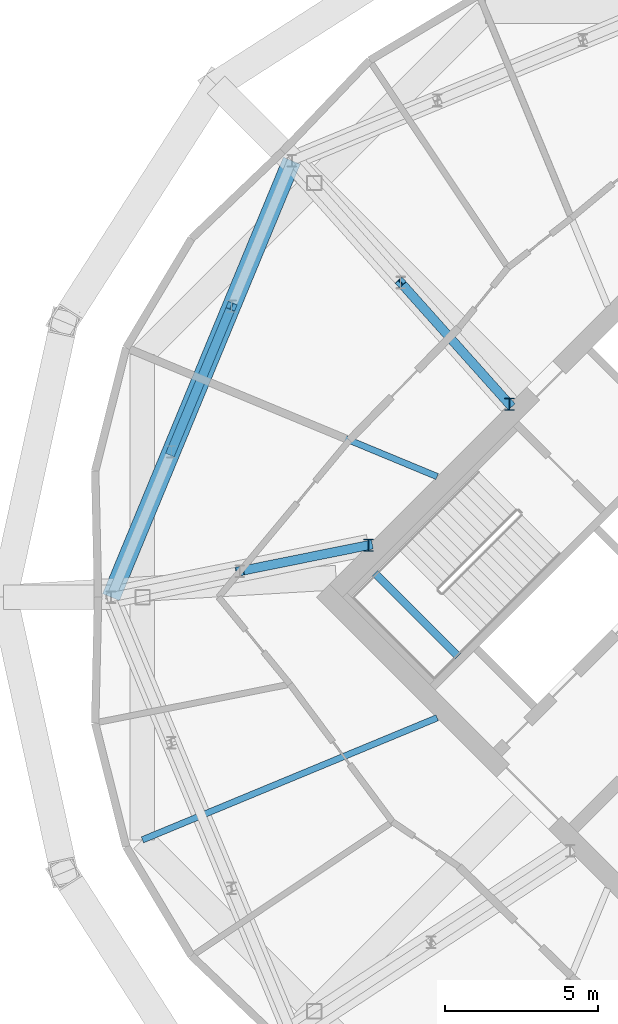
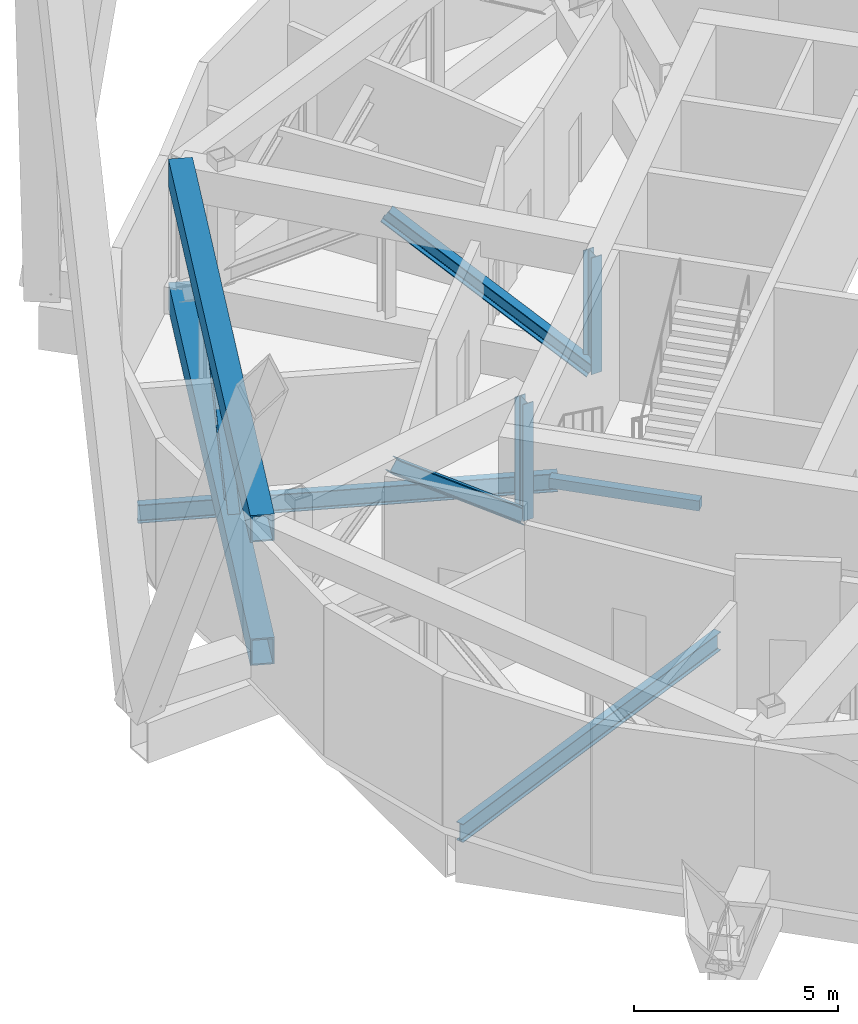
# One storey, part 8 of 19: 7 members, 3 beams.
"""IFC4 building model written with IfcOpenShell, lengths in metres."""

from ifc_helpers import new_model, si_unit, direction, frame, origin, origin_2d, place, context, subcontext, project, spatial, rectangle, hollow_rectangle, i_section, extrude, material, material_profile, profile_set, type_object, element, save


model = new_model("IFC4")

# Units and contexts
model_context = context("Model", 3, precision=1e-05, world=origin(), true_north=direction((0.0, 1.0)))
body_context = subcontext(model_context, "Body", "Model", "MODEL_VIEW")
ifc_project = project(units=[si_unit("LENGTHUNIT", "METRE"), si_unit("AREAUNIT", "SQUARE_METRE"), si_unit("VOLUMEUNIT", "CUBIC_METRE"), si_unit("PLANEANGLEUNIT", "RADIAN"), si_unit("MASSUNIT", "GRAM", prefix="KILO")], contexts=[model_context])

# Site, building, storey
site_placement = place(None, origin())
site = spatial("IfcSite", under=ifc_project, at=site_placement, CompositionType="ELEMENT")
building_placement = place(site_placement, origin())
building = spatial("IfcBuilding", under=site, at=building_placement, Name="Ogive Gate Towers", CompositionType="ELEMENT")
storey_placement = place(building_placement, frame((0.0, 0.0, 216.300048828125)))
storey = spatial("IfcBuildingStorey", under=building, at=storey_placement, Name="L52", CompositionType="ELEMENT", Elevation=216.300048828125)

# Beams
ifc_material_1 = material(Name="Concrete C40/50", Category="concrete")
ifc_material_profile_1 = material_profile(ifc_material_1, rectangle(XDim=0.25, YDim=0.300048828125, at=origin_2d()), Name="RC 250x300")
ifc_profile_set_1 = profile_set([ifc_material_profile_1], Name="Concrete C40/50")
beam_type_1 = type_object("IfcBeamType", Name="Landing bearer RC 250x300", PredefinedType="BEAM", material=ifc_profile_set_1)
beam_placement = place(storey_placement, frame((24.472412109375, 0.77587890625, 2.050048828125), z_axis=(0.707106781187, -0.707106781187, 0.0), x_axis=(0.707106781187, 0.707106781187, 0.0)))
element("IfcBeam", 1, at=beam_placement, inside=storey, type_object=beam_type_1, Name="T2 L52 stair 1 landing bearer 1", PredefinedType="BEAM", context=body_context, shape_type="SweptSolid", body=[
    extrude(rectangle(XDim=0.25, YDim=0.300048828125, at=origin_2d()), origin(), (0.0, 0.0, 1.0), 3.824951171875),
])
ifc_material_2 = material(Name="Steel SM355", Category="steel")
ifc_material_profile_2 = material_profile(ifc_material_2, i_section(OverallWidth=0.2099609375, OverallDepth=0.550048828125, WebThickness=0.010986328125, FlangeThickness=0.01708984375, FilletRadius=0.02392578125, at=origin_2d()), Name="IPE 550")
ifc_profile_set_2 = profile_set([ifc_material_profile_2], Name="Steel SM355")
beam_type_2 = type_object("IfcBeamType", Name="Radial floor beam IPE 550", PredefinedType="BEAM", material=ifc_profile_set_2)
for number, where, z_axis, x_axis, name in (
    (2, (26.5, -3.93505859375, -0.574951171875), (-0.92387930631, -0.382683978464, 0.0), (0.382683978464, -0.92387930631, 0.0), "T2/L52/SBM001"),
    (3, (26.5, 3.93505859375, -0.574951171875), (-0.92387930631, 0.382683978464, 0.0), (-0.382683978464, -0.92387930631, 0.0), "T2/L52/SBM015"),
):
    element("IfcBeam", number, at=place(storey_placement, frame(where, z_axis=z_axis, x_axis=x_axis)), inside=storey, type_object=beam_type_2, Name=name, PredefinedType="BEAM", context=body_context, shape_type="SweptSolid", body=[
        extrude(i_section(OverallWidth=0.2099609375, OverallDepth=0.550048828125, WebThickness=0.010986328125, FlangeThickness=0.01708984375, FilletRadius=0.02392578125, at=origin_2d()), origin(), (0.0, 0.0, 1.0), 10.4072265625),
    ])

# Members
ifc_material_3 = material(Name="Steel SM460", Category="steel")
ifc_material_profile_3 = material_profile(ifc_material_3, hollow_rectangle(XDim=0.60009765625, YDim=0.800048828125, WallThickness=0.0400390625, at=origin_2d()), Name="BX 800x600x40")
ifc_profile_set_3 = profile_set([ifc_material_profile_3], Name="Steel SM460")
member_type_1 = type_object("IfcMemberType", Name="Truss chord BX 800x600x40", PredefinedType="CHORD", material=ifc_profile_set_3)
for number, where, z_axis, x_axis, name in (
    (4, (21.7587890625, 14.2412109375, 0.39990234375), (-0.382671190687, -0.923884603085, 0.0), (0.923884603085, -0.382671190687, 0.0), "T2/L52/STR044"),
    (5, (21.7587890625, 14.2412109375, 4.099853515625), (-0.382671190687, -0.923884603085, 0.0), (0.923884603085, -0.382671190687, 0.0), "T2/L52/STR045"),
):
    element("IfcMember", number, at=place(storey_placement, frame(where, z_axis=z_axis, x_axis=x_axis)), inside=storey, type_object=member_type_1, Name=name, PredefinedType="CHORD", context=body_context, shape_type="SweptSolid", body=[
        extrude(hollow_rectangle(XDim=0.60009765625, YDim=0.800048828125, WallThickness=0.0400390625, at=origin_2d()), origin(), (0.0, 0.0, 1.0), 15.41455078125),
    ])
ifc_material_profile_4 = material_profile(ifc_material_3, i_section(OverallWidth=0.300048828125, OverallDepth=0.39990234375, WebThickness=0.013427734375, FlangeThickness=0.02392578125, FilletRadius=0.027099609375, at=origin_2d()), Name="HE 400 B")
ifc_profile_set_4 = profile_set([ifc_material_profile_4], Name="Steel SM460")
member_type_2 = type_object("IfcMemberType", Name="Truss diagonal HE 400 B", PredefinedType="BRACE", material=ifc_profile_set_4)
member_1_placement = place(storey_placement, frame((19.79248046875, 9.494140625, 4.099853515625), z_axis=(-0.310548860821, -0.74972833993, -0.58435162475), x_axis=(0.923879003455, -0.382684709619, 0.0)))
element("IfcMember", 6, at=member_1_placement, inside=storey, type_object=member_type_2, Name="T2/L52/STR047", PredefinedType="BRACE", context=body_context, shape_type="SweptSolid", body=[
    extrude(i_section(OverallWidth=0.300048828125, OverallDepth=0.39990234375, WebThickness=0.013427734375, FlangeThickness=0.02392578125, FilletRadius=0.027099609375, at=origin_2d()), origin(), (0.0, 0.0, 1.0), 6.331787109375),
])
member_2_placement = place(storey_placement, frame((28.858154296875, 6.293212890625, 0.5), z_axis=(-0.556777415716, 0.623373187498, 0.549003441207), x_axis=(-0.745822211667, -0.666145050709, 0.0)))
element("IfcMember", 7, at=member_2_placement, inside=storey, type_object=member_type_2, Name="T2/L52/STR054", PredefinedType="BRACE", context=body_context, shape_type="SweptSolid", body=[
    extrude(i_section(OverallWidth=0.300048828125, OverallDepth=0.39990234375, WebThickness=0.013427734375, FlangeThickness=0.02392578125, FilletRadius=0.027099609375, at=origin_2d()), origin(), (0.0, 0.0, 1.0), 6.375244140625),
])
member_3_placement = place(storey_placement, frame((24.261962890625, 1.697021484375, 0.5), z_axis=(-0.759206542571, -0.153323806325, 0.632532399274), x_axis=(0.197956223889, -0.980210861715, 0.0)))
element("IfcMember", 8, at=member_3_placement, inside=storey, type_object=member_type_2, Name="T2/L52/STR068", PredefinedType="BRACE", context=body_context, shape_type="SweptSolid", body=[
    extrude(i_section(OverallWidth=0.300048828125, OverallDepth=0.39990234375, WebThickness=0.013427734375, FlangeThickness=0.02392578125, FilletRadius=0.027099609375, at=origin_2d()), origin(), (0.0, 0.0, 1.0), 5.533203125),
])
ifc_material_profile_5 = material_profile(ifc_material_3, i_section(OverallWidth=0.300048828125, OverallDepth=0.39990234375, WebThickness=0.013427734375, FlangeThickness=0.02392578125, FilletRadius=0.027099609375, at=origin_2d()), Name="HE 400 B")
ifc_profile_set_5 = profile_set([ifc_material_profile_5], Name="Steel SM460")
member_type_3 = type_object("IfcMemberType", Name="Truss post HE 400 B", PredefinedType="POST", material=ifc_profile_set_5)
for number, where, z_axis, x_axis, name in (
    (9, (28.858154296875, 6.293212890625, 0.5), (0.0, 0.0, 1.0), (1.0, 0.0, 0.0), "T2/L52/STR056"),
    (10, (24.261962890625, 1.697021484375, 0.5), (0.0, 0.0, 1.0), (1.0, 0.0, 0.0), "T2/L52/STR070"),
):
    element("IfcMember", number, at=place(storey_placement, frame(where, z_axis=z_axis, x_axis=x_axis)), inside=storey, type_object=member_type_3, Name=name, PredefinedType="POST", context=body_context, shape_type="SweptSolid", body=[
        extrude(i_section(OverallWidth=0.300048828125, OverallDepth=0.39990234375, WebThickness=0.013427734375, FlangeThickness=0.02392578125, FilletRadius=0.027099609375, at=origin_2d()), origin(), (0.0, 0.0, 1.0), 3.5),
    ])

save(model, "model.ifc")
